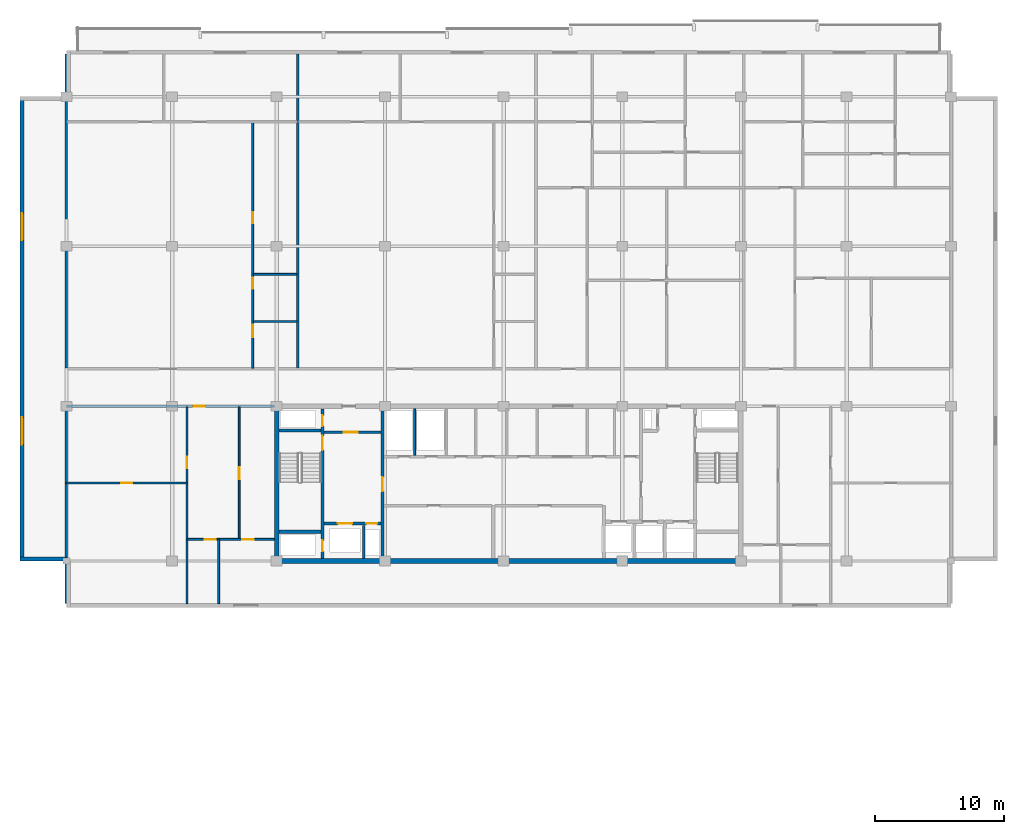
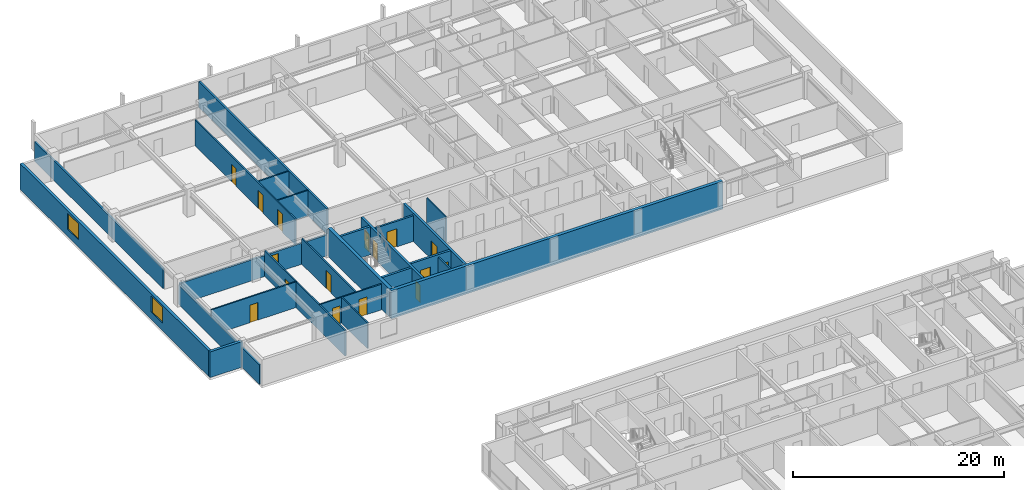
# One storey, part 19 of 30: 24 walls, 16 doors, 2 windows, 18 openings.
"""IFC4 building model written with IfcOpenShell, lengths in metres."""

import ifcopenshell
import ifcopenshell.guid

model = None  # the IFC model being written
_history = None  # IfcOwnerHistory: only IFC2X3 demands one
_inside = {}  # id of a spatial element -> (the spatial element, [elements in it])
_under = {}  # id of a project, library or spatial element -> (it, [spatial elements below it])
_declared = {}  # id of a project -> (the project, [libraries it declares])
_typed = {}  # id of a type object -> (the type object, [elements of that type])
_made_of = {}  # id of a material, layer set ... -> (it, [elements and type objects made of it])


def new_model(schema):
    """Start an empty IFC model of exactly this schema.

    Asked for "IFC4X3", IfcOpenShell would pick the latest addendum, in which some entities
    have other attributes; the version numbers below select the first issue.
    IFC2X3 requires an IfcOwnerHistory on every rooted entity: one is made here for all.
    """
    global model, _history
    if schema == "IFC4X3":
        model = ifcopenshell.file(schema_version=(4, 3, 0, 0))
    else:
        model = ifcopenshell.file(schema=schema)
    _inside.clear()
    _under.clear()
    _declared.clear()
    _typed.clear()
    _made_of.clear()
    _history = None
    if model.schema == "IFC2X3":
        org = make("IfcOrganization", Name="unknown")
        user = make(
            "IfcPersonAndOrganization",
            ThePerson=make("IfcPerson", FamilyName="unknown"),
            TheOrganization=org,
        )
        app = make(
            "IfcApplication",
            ApplicationDeveloper=org,
            Version="unknown",
            ApplicationFullName="unknown",
            ApplicationIdentifier="unknown",
        )
        _history = make(
            "IfcOwnerHistory",
            OwningUser=user,
            OwningApplication=app,
            ChangeAction="ADDED",
            CreationDate=0,
        )
    return model


def make(cls, **values):
    """One entity of the class cls with the attributes given. An attribute that is None is left unset."""
    return model.create_entity(
        cls, **{name: value for name, value in values.items() if value is not None}
    )


def rooted(cls, **values):
    """An entity with a GlobalId (a new one), such as an element, a storey or a relation."""
    return make(cls, GlobalId=ifcopenshell.guid.new(), OwnerHistory=_history, **values)


def si_unit(unit_type, name, prefix=None):
    """IfcSIUnit, for example si_unit("LENGTHUNIT", "METRE", prefix="MILLI")."""
    return make("IfcSIUnit", UnitType=unit_type, Prefix=prefix, Name=name)


def assignment(units):
    """IfcUnitAssignment: the units of a project."""
    return None if units is None else make("IfcUnitAssignment", Units=units)


def point(xyz):
    """IfcCartesianPoint."""
    return None if xyz is None else make("IfcCartesianPoint", Coordinates=xyz)


def direction(xyz):
    """IfcDirection."""
    return None if xyz is None else make("IfcDirection", DirectionRatios=xyz)


def frame(location, z_axis=None, x_axis=None):
    """IfcAxis2Placement3D, a coordinate frame: its origin and axes. An axis left out is left unset."""
    return make(
        "IfcAxis2Placement3D",
        Location=point(location),
        Axis=direction(z_axis),
        RefDirection=direction(x_axis),
    )


def frame_2d(location, x_axis=None):
    """IfcAxis2Placement2D, a coordinate frame in the plane: its origin and x axis."""
    return make(
        "IfcAxis2Placement2D", Location=point(location), RefDirection=direction(x_axis)
    )


def origin():
    """The frame at (0, 0, 0) with its axes left unset."""
    return frame((0.0, 0.0, 0.0))


def place(relative_to, where):
    """IfcLocalPlacement: puts the frame where relative to a parent placement (None: the world)."""
    return make(
        "IfcLocalPlacement", PlacementRelTo=relative_to, RelativePlacement=where
    )


def context(
    kind, dimensions, precision=None, world=None, true_north=None, identifier=None
):
    """IfcGeometricRepresentationContext, for example the 3D "Model" context."""
    return make(
        "IfcGeometricRepresentationContext",
        ContextIdentifier=identifier,
        ContextType=kind,
        CoordinateSpaceDimension=dimensions,
        Precision=precision,
        WorldCoordinateSystem=world,
        TrueNorth=true_north,
    )


def subcontext(parent, identifier, kind, view, scale=None):
    """IfcGeometricRepresentationSubContext, for example "Body" below "Model"."""
    return make(
        "IfcGeometricRepresentationSubContext",
        ContextIdentifier=identifier,
        ContextType=kind,
        ParentContext=parent,
        TargetScale=scale,
        TargetView=view,
    )


def project(units=None, contexts=None):
    """IfcProject with its units and contexts."""
    return rooted(
        "IfcProject",
        Name="project",
        RepresentationContexts=contexts,
        UnitsInContext=assignment(units),
    )


def spatial(cls, under=None, at=None, **own):
    """A site, building, storey or space (cls), placed at a placement, below another one or the project."""
    s = rooted(cls, ObjectPlacement=at, **own)
    if under is not None:
        _under.setdefault(under.id(), (under, []))[1].append(s)
    return s


def profile(cls, at=None, kind="AREA", **sizes):
    """A parametric profile (cls). Its sizes go by their IFC names, for example OverallWidth=200.0."""
    return make(cls, ProfileType=kind, Position=at, **sizes)


def rectangle(**sizes):
    """IfcRectangleProfileDef."""
    return profile("IfcRectangleProfileDef", **sizes)


def extrude(swept, where, along, depth):
    """IfcExtrudedAreaSolid: the profile swept, set in the frame where, extruded along a direction by depth."""
    return make(
        "IfcExtrudedAreaSolid",
        SweptArea=swept,
        Position=where,
        ExtrudedDirection=direction(along),
        Depth=depth,
    )


def shape(context_of_items, identifier, shape_type, items):
    """IfcShapeRepresentation: the items that make up one representation, for example the "Body"."""
    return make(
        "IfcShapeRepresentation",
        ContextOfItems=context_of_items,
        RepresentationIdentifier=identifier,
        RepresentationType=shape_type,
        Items=items,
    )


def material(Name=None, Category=None):
    """IfcMaterial."""
    return make("IfcMaterial", Name=Name, Category=Category)


def layer(
    of_material, thickness, ventilated=None, Name=None, Category=None, Priority=None
):
    """IfcMaterialLayer: one layer of a wall or slab, of a material (None: an air gap)."""
    return make(
        "IfcMaterialLayer",
        Material=of_material,
        LayerThickness=thickness,
        IsVentilated=ventilated,
        Name=Name,
        Category=Category,
        Priority=Priority,
    )


def layer_set(layers, Name=None):
    """IfcMaterialLayerSet."""
    return make("IfcMaterialLayerSet", MaterialLayers=layers, LayerSetName=Name)


def made_of(thing, what):
    """Note that an element or type object is made of a material, layer set ...; save() writes the relation."""
    if what is not None:
        _made_of.setdefault(what.id(), (what, []))[1].append(thing)
    return thing


def type_object(cls, material=None, **own):
    """A type object (cls), such as IfcWallType, which elements share."""
    return made_of(rooted(cls, **own), material)


def element(
    cls,
    number,
    at=None,
    inside=None,
    cuts=None,
    type_object=None,
    material=None,
    context=None,
    identifier="Body",
    shape_type=None,
    held_by="IfcProductDefinitionShape",
    body=None,
    shapes=None,
    **own,
):
    """One element of the class cls, such as IfcWall. Its Tag is "e" and its number.

    at: its placement. inside: the storey or other place that contains it. cuts: it is an
    opening in that element (IfcRelVoidsElement). A single representation is given by context,
    identifier, shape_type and body (its items); several are given by shapes. held_by: the class
    of the entity that holds the representations. save() writes the other relations.
    """
    e = rooted(cls, Tag="e%d" % number, ObjectPlacement=at, **own)
    if body is not None:
        shapes = [shape(context, identifier, shape_type, body)]
    if shapes is not None:
        e.Representation = make(held_by, Representations=shapes)
    if inside is not None:
        _inside.setdefault(inside.id(), (inside, []))[1].append(e)
    if cuts is not None:
        rooted(
            "IfcRelVoidsElement", RelatingBuildingElement=cuts, RelatedOpeningElement=e
        )
    if type_object is not None:
        _typed.setdefault(type_object.id(), (type_object, []))[1].append(e)
    return made_of(e, material)


def fill(opening, filler):
    """IfcRelFillsElement: the door or window that sits in an opening."""
    return rooted(
        "IfcRelFillsElement",
        RelatingOpeningElement=opening,
        RelatedBuildingElement=filler,
    )


def aggregate(whole, parts):
    """IfcRelAggregates: a whole, such as a stair, and the parts it consists of."""
    return rooted("IfcRelAggregates", RelatingObject=whole, RelatedObjects=parts)


def save(model, path):
    """Write the relations noted so far, then the file.

    IfcRelAggregates (storeys below a building ...), IfcRelContainedInSpatialStructure (elements
    in a storey), IfcRelDefinesByType, IfcRelAssociatesMaterial and IfcRelDeclares: one each for
    every whole, place, type object, material and project.
    """
    for whole, parts in _under.values():
        aggregate(whole, parts)
    for where, things in _inside.values():
        rooted(
            "IfcRelContainedInSpatialStructure",
            RelatedElements=things,
            RelatingStructure=where,
        )
    for kind, things in _typed.values():
        rooted("IfcRelDefinesByType", RelatedObjects=things, RelatingType=kind)
    for what, things in _made_of.values():
        rooted("IfcRelAssociatesMaterial", RelatedObjects=things, RelatingMaterial=what)
    for by, libraries in _declared.values():
        rooted("IfcRelDeclares", RelatingContext=by, RelatedDefinitions=libraries)
    model.write(path)


model = new_model("IFC4")

# Units and contexts
model_context = context("Model", 3, precision=1e-05, world=origin(), true_north=direction((0.0, 1.0)))
body_context = subcontext(model_context, "Body", "Model", "MODEL_VIEW")
ifc_project = project(units=[si_unit("LENGTHUNIT", "METRE"), si_unit("AREAUNIT", "SQUARE_METRE"), si_unit("VOLUMEUNIT", "CUBIC_METRE"), si_unit("PLANEANGLEUNIT", "RADIAN"), si_unit("MASSUNIT", "GRAM", prefix="KILO")], contexts=[model_context])

# Site, building, storey
site_placement = place(None, origin())
site = spatial("IfcSite", under=ifc_project, at=site_placement, CompositionType="ELEMENT")
building_placement = place(site_placement, origin())
building = spatial("IfcBuilding", under=site, at=building_placement, Name="Korimba Cascade Residences", CompositionType="ELEMENT")
storey_placement = place(building_placement, frame((0.0, 0.0, 201.10009765625)))
storey = spatial("IfcBuildingStorey", under=building, at=storey_placement, Name="L58", CompositionType="ELEMENT", Elevation=201.10009765625)

# Wall, openings, windows
ifc_material_1 = material(Name="Precast concrete C40/50", Category="concrete")
ifc_layer_1 = layer(ifc_material_1, 0.300048828125)
ifc_layer_set_1 = layer_set([ifc_layer_1], Name="Precast concrete C40/50")
wall_type_1 = type_object("IfcWallType", Name="EW-STONE-300", PredefinedType="STANDARD", material=ifc_layer_set_1)
wall_1_placement = place(storey_placement, frame((56.35009765625, 91.199951171875, 0.0), z_axis=(0.0, 0.0, 1.0), x_axis=(0.0, -1.0, 0.0)))
wall_1 = element("IfcWall", 1, at=wall_1_placement, inside=storey, type_object=wall_type_1, Name="L58 T1 Perimeter Stone Wall E09", PredefinedType="STANDARD", context=body_context, shape_type="SweptSolid", body=[
    extrude(rectangle(XDim=36.0, YDim=0.300048828125, at=frame_2d((18.0, 0.0))), origin(), (0.0, 0.0, 1.0), 2.969970703125),
])
opening_1_placement = place(wall_1_placement, frame((9.030029296875, 0.0, 0.85009765625)))
opening_1 = element("IfcOpeningElement", 2, at=opening_1_placement, cuts=wall_1, Name="Opening W-03", PredefinedType="OPENING", context=body_context, shape_type="SweptSolid", body=[
    extrude(rectangle(XDim=2.10009765625, YDim=1.85009765625, at=frame_2d((1.050048828125, 0.925048828125))), frame((0.0, 0.16015625, 0.0), z_axis=(0.0, -1.0, 0.0), x_axis=(1.0, 0.0, 0.0)), (0.0, 0.0, 1.0), 0.320068359375),
])
opening_2_placement = place(wall_1_placement, frame((24.8701171875, 0.0, 0.85009765625)))
opening_2 = element("IfcOpeningElement", 3, at=opening_2_placement, cuts=wall_1, Name="Opening W-03", PredefinedType="OPENING", context=body_context, shape_type="SweptSolid", body=[
    extrude(rectangle(XDim=2.10009765625, YDim=1.85009765625, at=frame_2d((1.050048828125, 0.925048828125))), frame((0.0, 0.16015625, 0.0), z_axis=(0.0, -1.0, 0.0), x_axis=(1.0, 0.0, 0.0)), (0.0, 0.0, 1.0), 0.320068359375),
])
ifc_material_2 = material(Name="Double-Glazed Aluminium Window", Category="aluminium")
window_type = type_object("IfcWindowType", Name="WIN-CRN-2100", PartitioningType="DOUBLE_PANEL_HORIZONTAL", PredefinedType="WINDOW", material=ifc_material_2)
window_1_placement = place(opening_1_placement, origin())
window_1 = element("IfcWindow", 4, at=window_1_placement, inside=storey, type_object=window_type, Name="L58 T1 End View Window 9.1", OverallHeight=1.85009765625, OverallWidth=2.10009765625, PartitioningType="DOUBLE_PANEL_HORIZONTAL", PredefinedType="WINDOW", context=body_context, shape_type="SweptSolid", body=[
    extrude(rectangle(XDim=2.10009765625, YDim=1.85009765625, at=frame_2d((1.050048828125, 0.925048828125))), frame((0.0, 0.030029296875, 0.0), z_axis=(0.0, -1.0, 0.0), x_axis=(1.0, 0.0, 0.0)), (0.0, 0.0, 1.0), 0.06005859375),
])
fill(opening_1, window_1)
window_2_placement = place(opening_2_placement, origin())
window_2 = element("IfcWindow", 5, at=window_2_placement, inside=storey, type_object=window_type, Name="L58 T1 End View Window 9.2", OverallHeight=1.85009765625, OverallWidth=2.10009765625, PartitioningType="DOUBLE_PANEL_HORIZONTAL", PredefinedType="WINDOW", context=body_context, shape_type="SweptSolid", body=[
    extrude(rectangle(XDim=2.10009765625, YDim=1.85009765625, at=frame_2d((1.050048828125, 0.925048828125))), frame((0.0, 0.030029296875, 0.0), z_axis=(0.0, -1.0, 0.0), x_axis=(1.0, 0.0, 0.0)), (0.0, 0.0, 1.0), 0.06005859375),
])
fill(opening_2, window_2)

# Walls
wall_2_placement = place(storey_placement, frame((56.199951171875, 55.35009765625, 0.0), z_axis=(0.0, 0.0, 1.0), x_axis=(1.0, 0.0, 0.0)))
element("IfcWall", 6, at=wall_2_placement, inside=storey, type_object=wall_type_1, Name="L58 T1 Perimeter Stone Wall E10", PredefinedType="STANDARD", context=body_context, shape_type="SweptSolid", body=[
    extrude(rectangle(XDim=3.60009765625, YDim=0.300048828125, at=frame_2d((1.800048828125, 0.0))), origin(), (0.0, 0.0, 1.0), 2.969970703125),
])
ifc_material_3 = material(Name="Concrete C65/80", Category="concrete")
ifc_layer_2 = layer(ifc_material_3, 0.35009765625)
ifc_layer_set_2 = layer_set([ifc_layer_2], Name="Concrete C65/80")
wall_type_2 = type_object("IfcWallType", Name="WAL-CORE-350", PredefinedType="SHEAR", material=ifc_layer_set_2)
wall_3_placement = place(storey_placement, frame((75.949951171875, 55.199951171875, 0.0), z_axis=(0.0, 0.0, 1.0), x_axis=(1.0, 0.0, 0.0)))
element("IfcWall", 7, at=wall_3_placement, inside=storey, type_object=wall_type_2, Name="L58 Core Shear Wall CW-L58-T1-S", PredefinedType="SHEAR", context=body_context, shape_type="SweptSolid", body=[
    extrude(rectangle(XDim=36.300048828125, YDim=0.35009765625, at=frame_2d((18.14990234375, 0.0))), origin(), (0.0, 0.0, 1.0), 3.25),
])
wall_4_placement = place(storey_placement, frame((76.125, 55.375, 0.0), z_axis=(0.0, 0.0, 1.0), x_axis=(0.0, 1.0, 0.0)))
element("IfcWall", 8, at=wall_4_placement, inside=storey, type_object=wall_type_2, Name="L58 Core Shear Wall CW-L58-T1-W", PredefinedType="SHEAR", context=body_context, shape_type="SweptSolid", body=[
    extrude(rectangle(XDim=11.64990234375, YDim=0.35009765625, at=frame_2d((5.824951171875, 0.0))), origin(), (0.0, 0.0, 1.0), 3.25),
])
ifc_layer_3 = layer(ifc_material_1, 0.199951171875)
ifc_layer_set_3 = layer_set([ifc_layer_3], Name="Precast concrete C40/50")
wall_type_3 = type_object("IfcWallType", Name="WAL-IT-200", PredefinedType="PARTITIONING", material=ifc_layer_set_3)
wall_5_placement = place(storey_placement, frame((59.800048828125, 51.89990234375, 0.0), z_axis=(0.0, 0.0, 1.0), x_axis=(0.0, 1.0, 0.0)))
element("IfcWall", 9, at=wall_5_placement, inside=storey, type_object=wall_type_3, Name="L58 Partition Wall WAL-L58-T1-FW-WL", PredefinedType="PARTITIONING", context=body_context, shape_type="SweptSolid", body=[
    extrude(rectangle(XDim=15.300048828125, YDim=0.199951171875, at=frame_2d((7.64990234375, 0.0))), origin(), (0.0, 0.0, 1.0), 2.277099609375),
])

# Wall, opening, door
wall_6_placement = place(storey_placement, frame((59.800048828125, 67.199951171875, 0.0), z_axis=(0.0, 0.0, 1.0), x_axis=(1.0, 0.0, 0.0)))
wall_6 = element("IfcWall", 10, at=wall_6_placement, inside=storey, type_object=wall_type_3, Name="L58 Partition Wall WAL-L58-T1-FW-N", PredefinedType="PARTITIONING", context=body_context, shape_type="SweptSolid", body=[
    extrude(rectangle(XDim=16.14990234375, YDim=0.199951171875, at=frame_2d((8.074951171875, 0.0))), origin(), (0.0, 0.0, 1.0), 2.43310546875),
])
opening_3_placement = place(wall_6_placement, frame((9.823486328125, 0.0, 0.0)))
opening_3 = element("IfcOpeningElement", 11, at=opening_3_placement, cuts=wall_6, Name="Opening D-UN1", PredefinedType="OPENING", context=body_context, shape_type="SweptSolid", body=[
    extrude(rectangle(XDim=0.949951171875, YDim=2.14990234375, at=frame_2d((0.47509765625, 1.074951171875))), frame((0.0, 0.10986328125, 0.0), z_axis=(0.0, -1.0, 0.0), x_axis=(1.0, 0.0, 0.0)), (0.0, 0.0, 1.0), 0.219970703125),
])
ifc_material_4 = material(Name="Fire-Rated Hardwood Apartment Entrance Door", Category="wood")
door_type_1 = type_object("IfcDoorType", Name="DR-FD60-950", OperationType="NOTDEFINED", PredefinedType="DOOR", material=ifc_material_4)
door_1_placement = place(opening_3_placement, origin())
door_1 = element("IfcDoor", 12, at=door_1_placement, inside=storey, type_object=door_type_1, Name="L58-T1-FW Entrance Door", OperationType="SINGLE_SWING_LEFT", OverallHeight=2.14990234375, OverallWidth=0.949951171875, PredefinedType="DOOR", context=body_context, shape_type="SweptSolid", body=[
    extrude(rectangle(XDim=0.949951171875, YDim=2.14990234375, at=frame_2d((0.47509765625, 1.074951171875))), frame((0.0, 0.02490234375, 0.0), z_axis=(0.0, -1.0, 0.0), x_axis=(1.0, 0.0, 0.0)), (0.0, 0.0, 1.0), 0.050048828125),
])
fill(opening_3, door_1)

# Walls
wall_7_placement = place(storey_placement, frame((59.800048828125, 70.179931640625, 0.0), z_axis=(0.0, 0.0, 1.0), x_axis=(0.0, 1.0, 0.0)))
element("IfcWall", 13, at=wall_7_placement, inside=storey, type_object=wall_type_3, Name="L58 Partition Wall WAL-L58-T1-BNDWL", PredefinedType="PARTITIONING", context=body_context, shape_type="SweptSolid", body=[
    extrude(rectangle(XDim=24.320068359375, YDim=0.199951171875, at=frame_2d((12.16015625, 0.0))), origin(), (0.0, 0.0, 1.0), 2.277099609375),
])
wall_8_placement = place(storey_placement, frame((77.743408203125, 70.179931640625, 0.0), z_axis=(0.0, 0.0, 1.0), x_axis=(0.0, 1.0, 0.0)))
element("IfcWall", 14, at=wall_8_placement, inside=storey, type_object=wall_type_3, Name="L58 Partition Wall WAL-L58-T1-DEM-1", PredefinedType="PARTITIONING", context=body_context, shape_type="SweptSolid", body=[
    extrude(rectangle(XDim=24.320068359375, YDim=0.199951171875, at=frame_2d((12.16015625, 0.0))), origin(), (0.0, 0.0, 1.0), 2.969970703125),
])
ifc_material_5 = material(Name="Insulated Acoustic Stud Partition", Category="gypsum")
ifc_layer_4 = layer(ifc_material_5, 0.14990234375)
ifc_layer_set_4 = layer_set([ifc_layer_4], Name="Insulated Acoustic Stud Partition")
wall_type_4 = type_object("IfcWallType", Name="WAL-PART-150", PredefinedType="PARTITIONING", material=ifc_layer_set_4)
wall_9_placement = place(storey_placement, frame((86.800048828125, 63.39990234375, 0.0), z_axis=(0.0, 0.0, 1.0), x_axis=(0.0, 1.0, 0.0)))
element("IfcWall", 15, at=wall_9_placement, inside=storey, type_object=wall_type_4, Name="L58 Partition Wall CW-L58-T1-ERDIV", PredefinedType="PARTITIONING", context=body_context, shape_type="SweptSolid", body=[
    extrude(rectangle(XDim=3.60009765625, YDim=0.14990234375, at=frame_2d((1.800048828125, 0.0))), origin(), (0.0, 0.0, 1.0), 2.969970703125),
])

# Wall, opening, door
wall_10_placement = place(storey_placement, frame((59.800048828125, 61.25, 0.0), z_axis=(0.0, 0.0, 1.0), x_axis=(1.0, 0.0, 0.0)))
wall_10 = element("IfcWall", 16, at=wall_10_placement, inside=storey, type_object=wall_type_4, Name="L58 Partition Wall WAL-L58-T1-FW-STH", PredefinedType="PARTITIONING", context=body_context, shape_type="SweptSolid", body=[
    extrude(rectangle(XDim=9.349853515625, YDim=0.14990234375, at=frame_2d((4.6748046875, 0.0))), origin(), (0.0, 0.0, 1.0), 2.969970703125),
])
opening_4_placement = place(wall_10_placement, frame((4.2548828125, 0.0, 0.0)))
opening_4 = element("IfcOpeningElement", 17, at=opening_4_placement, cuts=wall_10, Name="Opening D-BT1", PredefinedType="OPENING", context=body_context, shape_type="SweptSolid", body=[
    extrude(rectangle(XDim=0.840087890625, YDim=2.0400390625, at=frame_2d((0.419921875, 1.02001953125))), frame((0.0, 0.0849609375, 0.0), z_axis=(0.0, -1.0, 0.0), x_axis=(1.0, 0.0, 0.0)), (0.0, 0.0, 1.0), 0.169921875),
])
ifc_material_6 = material(Name="Moisture-Resistant Bathroom Timber Door", Category="wood")
door_type_2 = type_object("IfcDoorType", Name="DR-INT-850", OperationType="NOTDEFINED", PredefinedType="DOOR", material=ifc_material_6)
door_2_placement = place(opening_4_placement, origin())
door_2 = element("IfcDoor", 18, at=door_2_placement, inside=storey, type_object=door_type_2, Name="L58-T1-FW Dressing Store Door", OperationType="SINGLE_SWING_RIGHT", OverallHeight=2.0400390625, OverallWidth=0.840087890625, PredefinedType="DOOR", context=body_context, shape_type="SweptSolid", body=[
    extrude(rectangle(XDim=0.840087890625, YDim=2.0400390625, at=frame_2d((0.419921875, 1.02001953125))), frame((0.0, 0.02490234375, 0.0), z_axis=(0.0, -1.0, 0.0), x_axis=(1.0, 0.0, 0.0)), (0.0, 0.0, 1.0), 0.050048828125),
])
fill(opening_4, door_2)

wall_11_placement = place(storey_placement, frame((69.14990234375, 51.89990234375, 0.0), z_axis=(0.0, 0.0, 1.0), x_axis=(0.0, 1.0, 0.0)))
wall_11 = element("IfcWall", 19, at=wall_11_placement, inside=storey, type_object=wall_type_4, Name="L58 Partition Wall WAL-L58-T1-FW-STV", PredefinedType="PARTITIONING", context=body_context, shape_type="SweptSolid", body=[
    extrude(rectangle(XDim=15.25, YDim=0.14990234375, at=frame_2d((7.625, 0.0))), origin(), (0.0, 0.0, 1.0), 2.969970703125),
])
opening_5_placement = place(wall_11_placement, frame((10.5, 0.0, 0.0)))
opening_5 = element("IfcOpeningElement", 20, at=opening_5_placement, cuts=wall_11, Name="Opening D-IN2", PredefinedType="OPENING", context=body_context, shape_type="SweptSolid", body=[
    extrude(rectangle(XDim=0.8798828125, YDim=2.06005859375, at=frame_2d((0.43994140625, 1.030029296875))), frame((0.0, 0.0849609375, 0.0), z_axis=(0.0, -1.0, 0.0), x_axis=(1.0, 0.0, 0.0)), (0.0, 0.0, 1.0), 0.169921875),
])
ifc_material_7 = material(Name="Acoustic Timber Bedroom Door", Category="wood")
door_type_3 = type_object("IfcDoorType", Name="DR-INT-880", OperationType="NOTDEFINED", PredefinedType="DOOR", material=ifc_material_7)
door_3_placement = place(opening_5_placement, origin())
door_3 = element("IfcDoor", 21, at=door_3_placement, inside=storey, type_object=door_type_3, Name="L58-T1-FW Study Door", OperationType="SINGLE_SWING_LEFT", OverallHeight=2.06005859375, OverallWidth=0.8798828125, PredefinedType="DOOR", context=body_context, shape_type="SweptSolid", body=[
    extrude(rectangle(XDim=0.8798828125, YDim=2.06005859375, at=frame_2d((0.43994140625, 1.030029296875))), frame((0.0, 0.02490234375, 0.0), z_axis=(0.0, -1.0, 0.0), x_axis=(1.0, 0.0, 0.0)), (0.0, 0.0, 1.0), 0.050048828125),
])
fill(opening_5, door_3)

wall_12_placement = place(storey_placement, frame((73.199951171875, 56.8701171875, 0.0), z_axis=(0.0, 0.0, 1.0), x_axis=(0.0, 1.0, 0.0)))
wall_12 = element("IfcWall", 22, at=wall_12_placement, inside=storey, type_object=wall_type_4, Name="L58 Partition Wall WAL-L58-T1-FW-VN", PredefinedType="PARTITIONING", context=body_context, shape_type="SweptSolid", body=[
    extrude(rectangle(XDim=10.27978515625, YDim=0.14990234375, at=frame_2d((5.139892578125, 0.0))), origin(), (0.0, 0.0, 1.0), 2.969970703125),
])
opening_6_placement = place(wall_12_placement, frame((4.679931640625, 0.0, 0.0)))
opening_6 = element("IfcOpeningElement", 23, at=opening_6_placement, cuts=wall_12, Name="Opening D-IN1", PredefinedType="OPENING", context=body_context, shape_type="SweptSolid", body=[
    extrude(rectangle(XDim=0.919921875, YDim=2.080078125, at=frame_2d((0.4599609375, 1.0400390625))), frame((0.0, 0.0849609375, 0.0), z_axis=(0.0, -1.0, 0.0), x_axis=(1.0, 0.0, 0.0)), (0.0, 0.0, 1.0), 0.169921875),
])
ifc_material_8 = material(Name="Acoustic Timber Living Door", Category="wood")
door_type_4 = type_object("IfcDoorType", Name="DR-INT-920", OperationType="NOTDEFINED", PredefinedType="DOOR", material=ifc_material_8)
door_4_placement = place(opening_6_placement, origin())
door_4 = element("IfcDoor", 24, at=door_4_placement, inside=storey, type_object=door_type_4, Name="L58-T1-FW Living Door", OperationType="SINGLE_SWING_RIGHT", OverallHeight=2.080078125, OverallWidth=0.919921875, PredefinedType="DOOR", context=body_context, shape_type="SweptSolid", body=[
    extrude(rectangle(XDim=0.919921875, YDim=2.080078125, at=frame_2d((0.4599609375, 1.0400390625))), frame((0.0, 0.02490234375, 0.0), z_axis=(0.0, -1.0, 0.0), x_axis=(1.0, 0.0, 0.0)), (0.0, 0.0, 1.0), 0.050048828125),
])
fill(opening_6, door_4)

# Wall
wall_13_placement = place(storey_placement, frame((71.60009765625, 51.89990234375, 0.0), z_axis=(0.0, 0.0, 1.0), x_axis=(0.0, 1.0, 0.0)))
element("IfcWall", 25, at=wall_13_placement, inside=storey, type_object=wall_type_4, Name="L58 Partition Wall WAL-L58-T1-FW-VS", PredefinedType="PARTITIONING", context=body_context, shape_type="SweptSolid", body=[
    extrude(rectangle(XDim=4.97021484375, YDim=0.14990234375, at=frame_2d((2.485107421875, 0.0))), origin(), (0.0, 0.0, 1.0), 2.969970703125),
])

# Wall, openings, doors
wall_14_placement = place(storey_placement, frame((69.169921875, 56.8701171875, 0.0), z_axis=(0.0, 0.0, 1.0), x_axis=(1.0, 0.0, 0.0)))
wall_14 = element("IfcWall", 26, at=wall_14_placement, inside=storey, type_object=wall_type_4, Name="L58 Partition Wall WAL-L58-T1-FW-H", PredefinedType="PARTITIONING", context=body_context, shape_type="SweptSolid", body=[
    extrude(rectangle(XDim=6.760009765625, YDim=0.14990234375, at=frame_2d((3.3798828125, 0.0))), origin(), (0.0, 0.0, 1.0), 2.969970703125),
])
opening_7_placement = place(wall_14_placement, frame((1.3623046875, 0.0, 0.0)))
opening_7 = element("IfcOpeningElement", 27, at=opening_7_placement, cuts=wall_14, Name="Opening D-BT1", PredefinedType="OPENING", context=body_context, shape_type="SweptSolid", body=[
    extrude(rectangle(XDim=0.840087890625, YDim=2.0400390625, at=frame_2d((0.419921875, 1.02001953125))), frame((0.0, 0.0849609375, 0.0), z_axis=(0.0, -1.0, 0.0), x_axis=(1.0, 0.0, 0.0)), (0.0, 0.0, 1.0), 0.169921875),
])
opening_8_placement = place(wall_14_placement, frame((4.276611328125, 0.0, 0.0)))
opening_8 = element("IfcOpeningElement", 28, at=opening_8_placement, cuts=wall_14, Name="Opening D-IN2", PredefinedType="OPENING", context=body_context, shape_type="SweptSolid", body=[
    extrude(rectangle(XDim=0.8798828125, YDim=2.06005859375, at=frame_2d((0.43994140625, 1.030029296875))), frame((0.0, 0.0849609375, 0.0), z_axis=(0.0, -1.0, 0.0), x_axis=(1.0, 0.0, 0.0)), (0.0, 0.0, 1.0), 0.169921875),
])
door_5_placement = place(opening_7_placement, origin())
door_5 = element("IfcDoor", 29, at=door_5_placement, inside=storey, type_object=door_type_2, Name="L58-T1-FW Bathroom Door", OperationType="SINGLE_SWING_LEFT", OverallHeight=2.0400390625, OverallWidth=0.840087890625, PredefinedType="DOOR", context=body_context, shape_type="SweptSolid", body=[
    extrude(rectangle(XDim=0.840087890625, YDim=2.0400390625, at=frame_2d((0.419921875, 1.02001953125))), frame((0.0, 0.02490234375, 0.0), z_axis=(0.0, -1.0, 0.0), x_axis=(1.0, 0.0, 0.0)), (0.0, 0.0, 1.0), 0.050048828125),
])
fill(opening_7, door_5)
door_6_placement = place(opening_8_placement, origin())
door_6 = element("IfcDoor", 30, at=door_6_placement, inside=storey, type_object=door_type_3, Name="L58-T1-FW Bedroom Door", OperationType="SINGLE_SWING_RIGHT", OverallHeight=2.06005859375, OverallWidth=0.8798828125, PredefinedType="DOOR", context=body_context, shape_type="SweptSolid", body=[
    extrude(rectangle(XDim=0.8798828125, YDim=2.06005859375, at=frame_2d((0.43994140625, 1.030029296875))), frame((0.0, 0.02490234375, 0.0), z_axis=(0.0, -1.0, 0.0), x_axis=(1.0, 0.0, 0.0)), (0.0, 0.0, 1.0), 0.050048828125),
])
fill(opening_8, door_6)

# Walls
for number, where, z_axis, x_axis, name in (
    (31, (74.30322265625, 73.77001953125, 0.0), (0.0, 0.0, 1.0), (1.0, 0.0, 0.0), "L58 Partition Wall WAL-L58-T1-U01-WCH"),
    (32, (74.30322265625, 77.419921875, 0.0), (0.0, 0.0, 1.0), (1.0, 0.0, 0.0), "L58 Partition Wall WAL-L58-T1-U01-WCH2"),
):
    element("IfcWall", number, at=place(storey_placement, frame(where, z_axis=z_axis, x_axis=x_axis)), inside=storey, type_object=wall_type_4, Name=name, PredefinedType="PARTITIONING", context=body_context, shape_type="SweptSolid", body=[
        extrude(rectangle(XDim=3.360107421875, YDim=0.14990234375, at=frame_2d((1.68017578125, 0.0))), origin(), (0.0, 0.0, 1.0), 2.969970703125),
    ])

# Wall, openings, doors
wall_15_placement = place(storey_placement, frame((74.243408203125, 70.159912109375, 0.0), z_axis=(0.0, 0.0, 1.0), x_axis=(0.0, 1.0, 0.0)))
wall_15 = element("IfcWall", 33, at=wall_15_placement, inside=storey, type_object=wall_type_4, Name="L58 Partition Wall WAL-L58-T1-U01-WCV", PredefinedType="PARTITIONING", context=body_context, shape_type="SweptSolid", body=[
    extrude(rectangle(XDim=19.030029296875, YDim=0.14990234375, at=frame_2d((9.51513671875, 0.0))), origin(), (0.0, 0.0, 1.0), 2.969970703125),
])
opening_9_placement = place(wall_15_placement, frame((2.406005859375, 0.0, 0.0)))
opening_9 = element("IfcOpeningElement", 34, at=opening_9_placement, cuts=wall_15, Name="Opening D-AC1", PredefinedType="OPENING", context=body_context, shape_type="SweptSolid", body=[
    extrude(rectangle(XDim=0.9599609375, YDim=2.10009765625, at=frame_2d((0.47998046875, 1.050048828125))), frame((0.0, 0.0849609375, 0.0), z_axis=(0.0, -1.0, 0.0), x_axis=(1.0, 0.0, 0.0)), (0.0, 0.0, 1.0), 0.169921875),
])
opening_10_placement = place(wall_15_placement, frame((6.132568359375, 0.0, 0.0)))
opening_10 = element("IfcOpeningElement", 35, at=opening_10_placement, cuts=wall_15, Name="Opening D-IN2", PredefinedType="OPENING", context=body_context, shape_type="SweptSolid", body=[
    extrude(rectangle(XDim=0.8798828125, YDim=2.06005859375, at=frame_2d((0.43994140625, 1.030029296875))), frame((0.0, 0.0849609375, 0.0), z_axis=(0.0, -1.0, 0.0), x_axis=(1.0, 0.0, 0.0)), (0.0, 0.0, 1.0), 0.169921875),
])
opening_11_placement = place(wall_15_placement, frame((11.229248046875, 0.0, 0.0)))
opening_11 = element("IfcOpeningElement", 36, at=opening_11_placement, cuts=wall_15, Name="Opening D-BT1", PredefinedType="OPENING", context=body_context, shape_type="SweptSolid", body=[
    extrude(rectangle(XDim=0.840087890625, YDim=2.0400390625, at=frame_2d((0.419921875, 1.02001953125))), frame((0.0, 0.0849609375, 0.0), z_axis=(0.0, -1.0, 0.0), x_axis=(1.0, 0.0, 0.0)), (0.0, 0.0, 1.0), 0.169921875),
])
ifc_material_9 = material(Name="Accessible Acoustic Timber WC Door", Category="wood")
door_type_5 = type_object("IfcDoorType", Name="DR-ACC-950", OperationType="NOTDEFINED", PredefinedType="DOOR", material=ifc_material_9)
door_7_placement = place(opening_9_placement, origin())
door_7 = element("IfcDoor", 37, at=door_7_placement, inside=storey, type_object=door_type_5, Name="L58-T1-U01 Accessible WC Door", OperationType="SINGLE_SWING_RIGHT", OverallHeight=2.10009765625, OverallWidth=0.9599609375, PredefinedType="DOOR", context=body_context, shape_type="SweptSolid", body=[
    extrude(rectangle(XDim=0.9599609375, YDim=2.10009765625, at=frame_2d((0.47998046875, 1.050048828125))), frame((0.0, 0.02490234375, 0.0), z_axis=(0.0, -1.0, 0.0), x_axis=(1.0, 0.0, 0.0)), (0.0, 0.0, 1.0), 0.050048828125),
])
fill(opening_9, door_7)
door_8_placement = place(opening_11_placement, origin())
door_8 = element("IfcDoor", 38, at=door_8_placement, inside=storey, type_object=door_type_2, Name="L58-T1-U01 Suite Store Door", OperationType="SINGLE_SWING_RIGHT", OverallHeight=2.0400390625, OverallWidth=0.840087890625, PredefinedType="DOOR", context=body_context, shape_type="SweptSolid", body=[
    extrude(rectangle(XDim=0.840087890625, YDim=2.0400390625, at=frame_2d((0.419921875, 1.02001953125))), frame((0.0, 0.02490234375, 0.0), z_axis=(0.0, -1.0, 0.0), x_axis=(1.0, 0.0, 0.0)), (0.0, 0.0, 1.0), 0.050048828125),
])
fill(opening_11, door_8)
door_9_placement = place(opening_10_placement, origin())
door_9 = element("IfcDoor", 39, at=door_9_placement, inside=storey, type_object=door_type_3, Name="L58-T1-U01 Restroom WC Door", OperationType="SINGLE_SWING_LEFT", OverallHeight=2.06005859375, OverallWidth=0.8798828125, PredefinedType="DOOR", context=body_context, shape_type="SweptSolid", body=[
    extrude(rectangle(XDim=0.8798828125, YDim=2.06005859375, at=frame_2d((0.43994140625, 1.030029296875))), frame((0.0, 0.02490234375, 0.0), z_axis=(0.0, -1.0, 0.0), x_axis=(1.0, 0.0, 0.0)), (0.0, 0.0, 1.0), 0.050048828125),
])
fill(opening_10, door_9)

# Wall
ifc_material_10 = material(Name="Concrete C40/50", Category="concrete")
ifc_layer_5 = layer(ifc_material_10, 0.199951171875)
ifc_layer_set_5 = layer_set([ifc_layer_5], Name="Concrete C40/50")
wall_type_5 = type_object("IfcWallType", Name="WAL-PART-200", PredefinedType="PARTITIONING", material=ifc_layer_set_5)
wall_16_placement = place(storey_placement, frame((82.85009765625, 55.39990234375, 0.0), z_axis=(0.0, 0.0, 1.0), x_axis=(0.0, 1.0, 0.0)))
element("IfcWall", 40, at=wall_16_placement, inside=storey, type_object=wall_type_5, Name="L58 Partition Wall CW-L58-T1-FFLDIV", PredefinedType="PARTITIONING", context=body_context, shape_type="SweptSolid", body=[
    extrude(rectangle(XDim=2.56005859375, YDim=0.199951171875, at=frame_2d((1.280029296875, 0.0))), origin(), (0.0, 0.0, 1.0), 2.969970703125),
])

# Wall, opening, door
wall_17_placement = place(storey_placement, frame((79.7900390625, 65.179931640625, 0.0), z_axis=(0.0, 0.0, 1.0), x_axis=(1.0, 0.0, 0.0)))
wall_17 = element("IfcWall", 41, at=wall_17_placement, inside=storey, type_object=wall_type_5, Name="L58 Partition Wall CW-L58-T1-FFLN", PredefinedType="PARTITIONING", context=body_context, shape_type="SweptSolid", body=[
    extrude(rectangle(XDim=4.389892578125, YDim=0.199951171875, at=frame_2d((2.19482421875, 0.0))), origin(), (0.0, 0.0, 1.0), 2.969970703125),
])
opening_12_placement = place(wall_17_placement, frame((1.5, 0.0, 0.0)))
opening_12 = element("IfcOpeningElement", 42, at=opening_12_placement, cuts=wall_17, Name="Opening D-FD1", PredefinedType="OPENING", context=body_context, shape_type="SweptSolid", body=[
    extrude(rectangle(XDim=1.10009765625, YDim=2.10009765625, at=frame_2d((0.550048828125, 1.050048828125))), frame((0.0, 0.10986328125, 0.0), z_axis=(0.0, -1.0, 0.0), x_axis=(1.0, 0.0, 0.0)), (0.0, 0.0, 1.0), 0.219970703125),
])
ifc_material_11 = material(Name="Fire-Rated Steel Core Door", Category="steel")
door_type_6 = type_object("IfcDoorType", Name="DR-FD120-1100", OperationType="NOTDEFINED", PredefinedType="DOOR", material=ifc_material_11)
door_10_placement = place(opening_12_placement, origin())
door_10 = element("IfcDoor", 43, at=door_10_placement, inside=storey, type_object=door_type_6, Name="L58 West Firefighting Lobby Door", OperationType="SINGLE_SWING_LEFT", OverallHeight=2.10009765625, OverallWidth=1.10009765625, PredefinedType="DOOR", context=body_context, shape_type="SweptSolid", body=[
    extrude(rectangle(XDim=1.10009765625, YDim=2.10009765625, at=frame_2d((0.550048828125, 1.050048828125))), frame((0.0, 0.02490234375, 0.0), z_axis=(0.0, -1.0, 0.0), x_axis=(1.0, 0.0, 0.0)), (0.0, 0.0, 1.0), 0.050048828125),
])
fill(opening_12, door_10)

# Wall, openings, doors
ifc_material_12 = material(Name="Concrete C50/60", Category="concrete")
ifc_layer_6 = layer(ifc_material_12, 0.25)
ifc_layer_set_6 = layer_set([ifc_layer_6], Name="Concrete C50/60")
wall_type_6 = type_object("IfcWallType", Name="WAL-SHAFT-250", PredefinedType="SHEAR", material=ifc_layer_set_6)
wall_18_placement = place(storey_placement, frame((79.6650390625, 55.39990234375, 0.0), z_axis=(0.0, 0.0, 1.0), x_axis=(0.0, 1.0, 0.0)))
wall_18 = element("IfcWall", 44, at=wall_18_placement, inside=storey, type_object=wall_type_6, Name="L58 Core Shear Wall CW-L58-T1-STW1E", PredefinedType="SHEAR", context=body_context, shape_type="SweptSolid", body=[
    extrude(rectangle(XDim=11.60009765625, YDim=0.25, at=frame_2d((5.800048828125, 0.0))), origin(), (0.0, 0.0, 1.0), 3.25),
])
opening_13_placement = place(wall_18_placement, frame((0.550048828125, 0.0, 0.0)))
opening_13 = element("IfcOpeningElement", 45, at=opening_13_placement, cuts=wall_18, Name="Opening D-RS1", PredefinedType="OPENING", context=body_context, shape_type="SweptSolid", body=[
    extrude(rectangle(XDim=0.85009765625, YDim=2.050048828125, at=frame_2d((0.425048828125, 1.02490234375))), frame((0.0, 0.135009765625, 0.0), z_axis=(0.0, -1.0, 0.0), x_axis=(1.0, 0.0, 0.0)), (0.0, 0.0, 1.0), 0.27001953125),
])
opening_14_placement = place(wall_18_placement, frame((8.39990234375, 0.0, 0.0)))
opening_14 = element("IfcOpeningElement", 46, at=opening_14_placement, cuts=wall_18, Name="Opening D-FD1", PredefinedType="OPENING", context=body_context, shape_type="SweptSolid", body=[
    extrude(rectangle(XDim=1.10009765625, YDim=2.10009765625, at=frame_2d((0.550048828125, 1.050048828125))), frame((0.0, 0.135009765625, 0.0), z_axis=(0.0, -1.0, 0.0), x_axis=(1.0, 0.0, 0.0)), (0.0, 0.0, 1.0), 0.27001953125),
])
opening_15_placement = place(wall_18_placement, frame((10.25, 0.0, 0.0)))
opening_15 = element("IfcOpeningElement", 47, at=opening_15_placement, cuts=wall_18, Name="Opening D-RS1", PredefinedType="OPENING", context=body_context, shape_type="SweptSolid", body=[
    extrude(rectangle(XDim=0.85009765625, YDim=2.050048828125, at=frame_2d((0.425048828125, 1.02490234375))), frame((0.0, 0.135009765625, 0.0), z_axis=(0.0, -1.0, 0.0), x_axis=(1.0, 0.0, 0.0)), (0.0, 0.0, 1.0), 0.27001953125),
])
door_11_placement = place(opening_14_placement, origin())
door_11 = element("IfcDoor", 48, at=door_11_placement, inside=storey, type_object=door_type_6, Name="L58 Fire Stair ST-W1 Door", OperationType="SINGLE_SWING_RIGHT", OverallHeight=2.10009765625, OverallWidth=1.10009765625, PredefinedType="DOOR", context=body_context, shape_type="SweptSolid", body=[
    extrude(rectangle(XDim=1.10009765625, YDim=2.10009765625, at=frame_2d((0.550048828125, 1.050048828125))), frame((0.0, 0.02490234375, 0.0), z_axis=(0.0, -1.0, 0.0), x_axis=(1.0, 0.0, 0.0)), (0.0, 0.0, 1.0), 0.050048828125),
])
fill(opening_14, door_11)
ifc_material_13 = material(Name="Fire-Rated Steel Riser Access Door", Category="steel")
door_type_7 = type_object("IfcDoorType", Name="DR-FD60-850", OperationType="NOTDEFINED", PredefinedType="DOOR", material=ifc_material_13)
door_12_placement = place(opening_13_placement, origin())
door_12 = element("IfcDoor", 49, at=door_12_placement, inside=storey, type_object=door_type_7, Name="L58 Smoke Riser Access Door", OperationType="SINGLE_SWING_LEFT", OverallHeight=2.050048828125, OverallWidth=0.85009765625, PredefinedType="DOOR", context=body_context, shape_type="SweptSolid", body=[
    extrude(rectangle(XDim=0.85009765625, YDim=2.050048828125, at=frame_2d((0.425048828125, 1.02490234375))), frame((0.0, 0.02490234375, 0.0), z_axis=(0.0, -1.0, 0.0), x_axis=(1.0, 0.0, 0.0)), (0.0, 0.0, 1.0), 0.050048828125),
])
fill(opening_13, door_12)
door_13_placement = place(opening_15_placement, origin())
door_13 = element("IfcDoor", 50, at=door_13_placement, inside=storey, type_object=door_type_7, Name="L58 Hydrant Riser Access Door", OperationType="SINGLE_SWING_LEFT", OverallHeight=2.050048828125, OverallWidth=0.85009765625, PredefinedType="DOOR", context=body_context, shape_type="SweptSolid", body=[
    extrude(rectangle(XDim=0.85009765625, YDim=2.050048828125, at=frame_2d((0.425048828125, 1.02490234375))), frame((0.0, 0.02490234375, 0.0), z_axis=(0.0, -1.0, 0.0), x_axis=(1.0, 0.0, 0.0)), (0.0, 0.0, 1.0), 0.050048828125),
])
fill(opening_15, door_13)

# Walls
for number, where, z_axis, x_axis, name in (
    (51, (76.300048828125, 57.47509765625, 0.0), (0.0, 0.0, 1.0), (1.0, 0.0, 0.0), "L58 Core Shear Wall CW-L58-T1-STW1S"),
    (52, (76.300048828125, 65.324951171875, 0.0), (0.0, 0.0, 1.0), (1.0, 0.0, 0.0), "L58 Core Shear Wall CW-L58-T1-STW1N"),
):
    element("IfcWall", number, at=place(storey_placement, frame(where, z_axis=z_axis, x_axis=x_axis)), inside=storey, type_object=wall_type_6, Name=name, PredefinedType="SHEAR", context=body_context, shape_type="SweptSolid", body=[
        extrude(rectangle(XDim=3.239990234375, YDim=0.25, at=frame_2d((1.6201171875, 0.0))), origin(), (0.0, 0.0, 1.0), 3.25),
    ])

# Wall, openings, doors
wall_19_placement = place(storey_placement, frame((79.7900390625, 58.10009765625, 0.0), z_axis=(0.0, 0.0, 1.0), x_axis=(1.0, 0.0, 0.0)))
wall_19 = element("IfcWall", 53, at=wall_19_placement, inside=storey, type_object=wall_type_6, Name="L58 Core Shear Wall CW-L58-T1-FFLS", PredefinedType="SHEAR", context=body_context, shape_type="SweptSolid", body=[
    extrude(rectangle(XDim=4.389892578125, YDim=0.25, at=frame_2d((2.19482421875, 0.0))), origin(), (0.0, 0.0, 1.0), 3.25),
])
opening_16_placement = place(wall_19_placement, frame((1.050048828125, 0.0, 0.0)))
opening_16 = element("IfcOpeningElement", 54, at=opening_16_placement, cuts=wall_19, Name="Opening LD-01", PredefinedType="OPENING", context=body_context, shape_type="SweptSolid", body=[
    extrude(rectangle(XDim=1.1201171875, YDim=2.1201171875, at=frame_2d((0.56005859375, 1.06005859375))), frame((0.0, 0.135009765625, 0.0), z_axis=(0.0, -1.0, 0.0), x_axis=(1.0, 0.0, 0.0)), (0.0, 0.0, 1.0), 0.27001953125),
])
opening_17_placement = place(wall_19_placement, frame((3.260009765625, 0.0, 0.0)))
opening_17 = element("IfcOpeningElement", 55, at=opening_17_placement, cuts=wall_19, Name="Opening D-RS1", PredefinedType="OPENING", context=body_context, shape_type="SweptSolid", body=[
    extrude(rectangle(XDim=0.85009765625, YDim=2.050048828125, at=frame_2d((0.425048828125, 1.02490234375))), frame((0.0, 0.135009765625, 0.0), z_axis=(0.0, -1.0, 0.0), x_axis=(1.0, 0.0, 0.0)), (0.0, 0.0, 1.0), 0.27001953125),
])
door_14_placement = place(opening_17_placement, origin())
door_14 = element("IfcDoor", 56, at=door_14_placement, inside=storey, type_object=door_type_7, Name="L58 Pressurisation Riser Door", OperationType="SINGLE_SWING_RIGHT", OverallHeight=2.050048828125, OverallWidth=0.85009765625, PredefinedType="DOOR", context=body_context, shape_type="SweptSolid", body=[
    extrude(rectangle(XDim=0.85009765625, YDim=2.050048828125, at=frame_2d((0.425048828125, 1.02490234375))), frame((0.0, 0.02490234375, 0.0), z_axis=(0.0, -1.0, 0.0), x_axis=(1.0, 0.0, 0.0)), (0.0, 0.0, 1.0), 0.050048828125),
])
fill(opening_17, door_14)
ifc_material_14 = material(Name="Stainless Steel Lift Landing Sliding Door", Category="steel")
door_type_8 = type_object("IfcDoorType", Name="DR-LIFT-1100", OperationType="NOTDEFINED", PredefinedType="DOOR", material=ifc_material_14)
door_15_placement = place(opening_16_placement, origin())
door_15 = element("IfcDoor", 57, at=door_15_placement, inside=storey, type_object=door_type_8, Name="L58 Firefighting Lift Landing Door FFL-W1", OperationType="SLIDING_TO_LEFT", OverallHeight=2.1201171875, OverallWidth=1.1201171875, PredefinedType="DOOR", context=body_context, shape_type="SweptSolid", body=[
    extrude(rectangle(XDim=1.1201171875, YDim=2.1201171875, at=frame_2d((0.56005859375, 1.06005859375))), frame((0.0, 0.02490234375, 0.0), z_axis=(0.0, -1.0, 0.0), x_axis=(1.0, 0.0, 0.0)), (0.0, 0.0, 1.0), 0.050048828125),
])
fill(opening_16, door_15)

# Wall, opening, door
wall_20_placement = place(storey_placement, frame((84.300048828125, 55.39990234375, 0.0), z_axis=(0.0, 0.0, 1.0), x_axis=(0.0, 1.0, 0.0)))
wall_20 = element("IfcWall", 58, at=wall_20_placement, inside=storey, type_object=wall_type_6, Name="L58 Core Shear Wall CW-L58-T1-FFLE", PredefinedType="SHEAR", context=body_context, shape_type="SweptSolid", body=[
    extrude(rectangle(XDim=11.60009765625, YDim=0.25, at=frame_2d((5.800048828125, 0.0))), origin(), (0.0, 0.0, 1.0), 3.25),
])
opening_18_placement = place(wall_20_placement, frame((5.199951171875, 0.0, 0.0)))
opening_18 = element("IfcOpeningElement", 59, at=opening_18_placement, cuts=wall_20, Name="Opening D-FD1", PredefinedType="OPENING", context=body_context, shape_type="SweptSolid", body=[
    extrude(rectangle(XDim=1.10009765625, YDim=2.10009765625, at=frame_2d((0.550048828125, 1.050048828125))), frame((0.0, 0.135009765625, 0.0), z_axis=(0.0, -1.0, 0.0), x_axis=(1.0, 0.0, 0.0)), (0.0, 0.0, 1.0), 0.27001953125),
])
door_16_placement = place(opening_18_placement, origin())
door_16 = element("IfcDoor", 60, at=door_16_placement, inside=storey, type_object=door_type_6, Name="L58 Firefighting Lobby to Lift Lobby Door", OperationType="SINGLE_SWING_RIGHT", OverallHeight=2.10009765625, OverallWidth=1.10009765625, PredefinedType="DOOR", context=body_context, shape_type="SweptSolid", body=[
    extrude(rectangle(XDim=1.10009765625, YDim=2.10009765625, at=frame_2d((0.550048828125, 1.050048828125))), frame((0.0, 0.02490234375, 0.0), z_axis=(0.0, -1.0, 0.0), x_axis=(1.0, 0.0, 0.0)), (0.0, 0.0, 1.0), 0.050048828125),
])
fill(opening_18, door_16)

save(model, "model.ifc")
